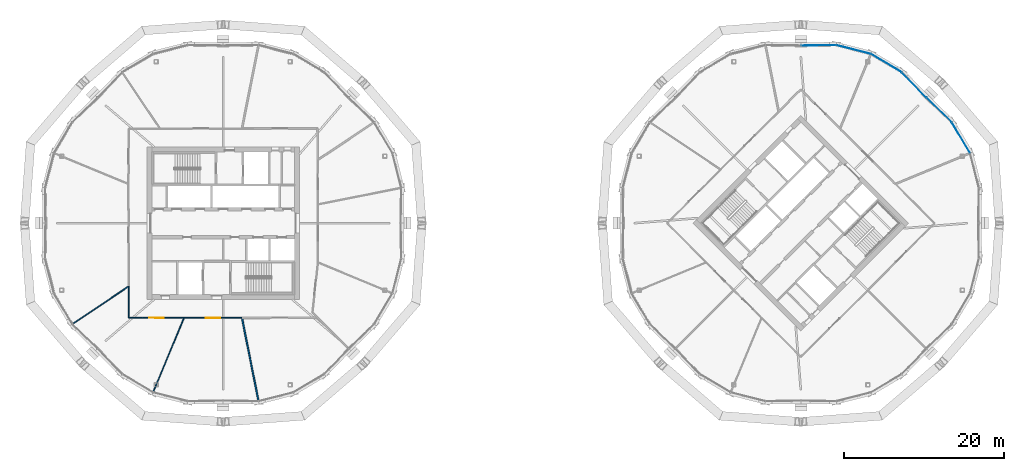
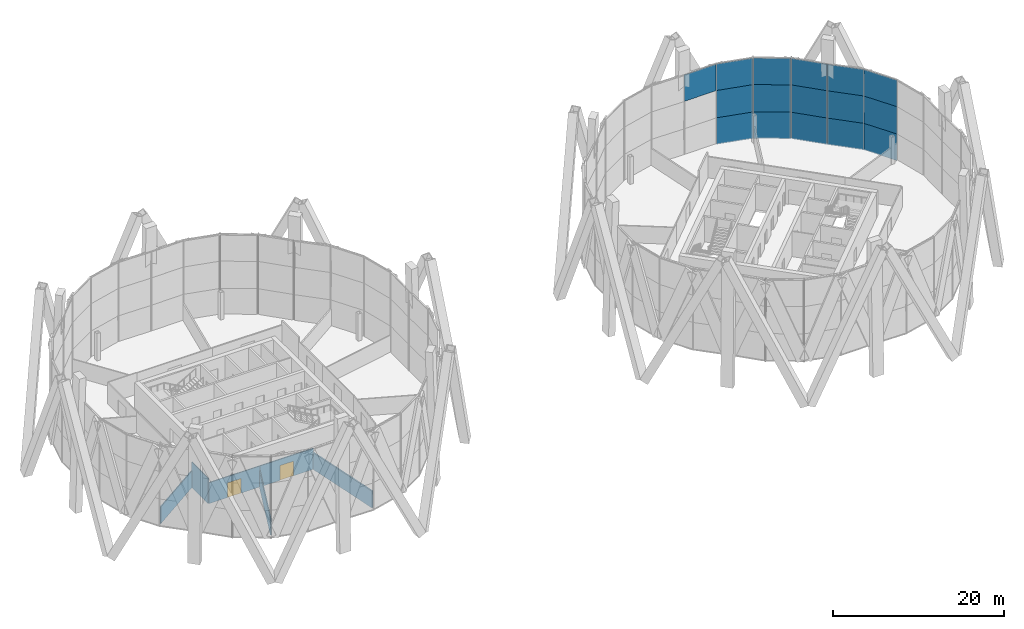
# One storey, part 15 of 23: 16 plates, 6 walls, 2 doors, 2 openings, 2 elements without a shape of their own.
"""IFC4 building model written with IfcOpenShell, lengths in metres."""

from ifc_helpers import new_model, si_unit, direction, frame, frame_2d, origin, origin_2d, place, context, subcontext, project, spatial, rectangle, extrude, material, layer, layer_set, type_object, element, fill, aggregate, save


model = new_model("IFC4")

# Units and contexts
model_context = context("Model", 3, precision=1e-05, world=origin(), true_north=direction((0.0, 1.0)))
body_context = subcontext(model_context, "Body", "Model", "MODEL_VIEW")
ifc_project = project(units=[si_unit("LENGTHUNIT", "METRE"), si_unit("AREAUNIT", "SQUARE_METRE"), si_unit("VOLUMEUNIT", "CUBIC_METRE"), si_unit("PLANEANGLEUNIT", "RADIAN"), si_unit("MASSUNIT", "GRAM", prefix="KILO")], contexts=[model_context])

# Site, building, storey
site_placement = place(None, origin())
site = spatial("IfcSite", under=ifc_project, at=site_placement, CompositionType="ELEMENT")
building_placement = place(site_placement, origin())
building = spatial("IfcBuilding", under=site, at=building_placement, Name="Ogive Gate Towers", CompositionType="ELEMENT")
storey_placement = place(building_placement, frame((0.0, 0.0, 165.60009765625)))
storey = spatial("IfcBuildingStorey", under=building, at=storey_placement, Name="L39", CompositionType="ELEMENT", Elevation=165.60009765625)

# Curtain wall, plates
ifc_material_1 = material(Name="Pale metal aluminium", Category="aluminium")
curtain_wall_type = type_object("IfcCurtainWallType", Name="Tower unitised wall, high zone", PredefinedType="NOTDEFINED", material=ifc_material_1)
curtain_wall_1_placement = place(storey_placement, origin())
curtain_wall_1 = element("IfcCurtainWall", 1, at=curtain_wall_1_placement, inside=storey, type_object=curtain_wall_type, Name="CW2 T2 ECW01", PredefinedType="NOTDEFINED")
ifc_material_2 = material(Name="Clear glass", Category="glass")
ifc_layer_1 = layer(ifc_material_2, 0.028076171875)
ifc_layer_set_1 = layer_set([ifc_layer_1], Name="Tower unitised wall, high zone glass panel")
plate_type = type_object("IfcPlateType", Name="Tower unitised wall, high zone glass panel", PredefinedType="CURTAIN_PANEL", material=ifc_layer_set_1)
plate_1_placement = place(storey_placement, frame((55.95263671875, 10.658447265625, -0.2041015625), z_axis=(0.0, 0.0, 1.0), x_axis=(-0.510452871593, 0.859905730811, 0.0)))
plate_1 = element("IfcPlate", 2, at=plate_1_placement, type_object=plate_type, Name="CW2 glass panel", PredefinedType="CURTAIN_PANEL", context=body_context, shape_type="SweptSolid", body=[
    extrude(rectangle(XDim=4.406494140625, YDim=0.028076171875, at=origin_2d()), origin(), (0.0, 0.0, 1.0), 3.803955078125),
])
plate_2_placement = place(storey_placement, frame((55.95263671875, 10.658447265625, 3.599853515625), z_axis=(0.0, 0.0, 1.0), x_axis=(-0.510452871593, 0.859905730811, 0.0)))
plate_2 = element("IfcPlate", 3, at=plate_2_placement, type_object=plate_type, Name="CW2 glass panel", PredefinedType="CURTAIN_PANEL", context=body_context, shape_type="SweptSolid", body=[
    extrude(rectangle(XDim=4.406494140625, YDim=0.028076171875, at=origin_2d()), origin(), (0.0, 0.0, 1.0), 3.89990234375),
])
plate_3_placement = place(storey_placement, frame((55.95263671875, 10.658447265625, 7.5), z_axis=(0.0, 0.0, 1.0), x_axis=(-0.510452871593, 0.859905730811, 0.0)))
plate_3 = element("IfcPlate", 4, at=plate_3_placement, type_object=plate_type, Name="CW2 glass panel", PredefinedType="CURTAIN_PANEL", context=body_context, shape_type="SweptSolid", body=[
    extrude(rectangle(XDim=4.406494140625, YDim=0.028076171875, at=origin_2d()), origin(), (0.0, 0.0, 1.0), 3.803955078125),
])
plate_4_placement = place(storey_placement, frame((53.22900390625, 14.115234375, -0.2041015625), z_axis=(0.0, 0.0, 1.0), x_axis=(-0.717810428625, 0.696238600306, 0.0)))
plate_4 = element("IfcPlate", 5, at=plate_4_placement, type_object=plate_type, Name="CW2 glass panel", PredefinedType="CURTAIN_PANEL", context=body_context, shape_type="SweptSolid", body=[
    extrude(rectangle(XDim=4.349853515625, YDim=0.028076171875, at=origin_2d()), origin(), (0.0, 0.0, 1.0), 3.803955078125),
])
plate_5_placement = place(storey_placement, frame((53.22900390625, 14.115234375, 3.599853515625), z_axis=(0.0, 0.0, 1.0), x_axis=(-0.717810428625, 0.696238600306, 0.0)))
plate_5 = element("IfcPlate", 6, at=plate_5_placement, type_object=plate_type, Name="CW2 glass panel", PredefinedType="CURTAIN_PANEL", context=body_context, shape_type="SweptSolid", body=[
    extrude(rectangle(XDim=4.349853515625, YDim=0.028076171875, at=origin_2d()), origin(), (0.0, 0.0, 1.0), 3.89990234375),
])
plate_6_placement = place(storey_placement, frame((53.22900390625, 14.115234375, 7.5), z_axis=(0.0, 0.0, 1.0), x_axis=(-0.717810428625, 0.696238600306, 0.0)))
plate_6 = element("IfcPlate", 7, at=plate_6_placement, type_object=plate_type, Name="CW2 glass panel", PredefinedType="CURTAIN_PANEL", context=body_context, shape_type="SweptSolid", body=[
    extrude(rectangle(XDim=4.349853515625, YDim=0.028076171875, at=origin_2d()), origin(), (0.0, 0.0, 1.0), 3.803955078125),
])
aggregate(curtain_wall_1, [plate_1, plate_2, plate_3, plate_4, plate_5, plate_6])

curtain_wall_2_placement = place(storey_placement, origin())
curtain_wall_2 = element("IfcCurtainWall", 8, at=curtain_wall_2_placement, inside=storey, type_object=curtain_wall_type, Name="CW2 T2 ECW02", PredefinedType="NOTDEFINED")
plate_7_placement = place(storey_placement, frame((50.115234375, 17.22900390625, -0.2041015625), z_axis=(0.0, 0.0, 1.0), x_axis=(-0.696238600306, 0.717810428625, 0.0)))
plate_7 = element("IfcPlate", 9, at=plate_7_placement, type_object=plate_type, Name="CW2 glass panel", PredefinedType="CURTAIN_PANEL", context=body_context, shape_type="SweptSolid", body=[
    extrude(rectangle(XDim=4.349853515625, YDim=0.028076171875, at=origin_2d()), origin(), (0.0, 0.0, 1.0), 3.803955078125),
])
plate_8_placement = place(storey_placement, frame((50.115234375, 17.22900390625, 3.599853515625), z_axis=(0.0, 0.0, 1.0), x_axis=(-0.696238600306, 0.717810428625, 0.0)))
plate_8 = element("IfcPlate", 10, at=plate_8_placement, type_object=plate_type, Name="CW2 glass panel", PredefinedType="CURTAIN_PANEL", context=body_context, shape_type="SweptSolid", body=[
    extrude(rectangle(XDim=4.349853515625, YDim=0.028076171875, at=origin_2d()), origin(), (0.0, 0.0, 1.0), 3.89990234375),
])
plate_9_placement = place(storey_placement, frame((50.115234375, 17.22900390625, 7.5), z_axis=(0.0, 0.0, 1.0), x_axis=(-0.696238600306, 0.717810428625, 0.0)))
plate_9 = element("IfcPlate", 11, at=plate_9_placement, type_object=plate_type, Name="CW2 glass panel", PredefinedType="CURTAIN_PANEL", context=body_context, shape_type="SweptSolid", body=[
    extrude(rectangle(XDim=4.349853515625, YDim=0.028076171875, at=origin_2d()), origin(), (0.0, 0.0, 1.0), 3.803955078125),
])
plate_10_placement = place(storey_placement, frame((46.658447265625, 19.95263671875, -0.2041015625), z_axis=(0.0, 0.0, 1.0), x_axis=(-0.859905730811, 0.510452871593, 0.0)))
plate_10 = element("IfcPlate", 12, at=plate_10_placement, type_object=plate_type, Name="CW2 glass panel", PredefinedType="CURTAIN_PANEL", context=body_context, shape_type="SweptSolid", body=[
    extrude(rectangle(XDim=4.406494140625, YDim=0.028076171875, at=origin_2d()), origin(), (0.0, 0.0, 1.0), 3.803955078125),
])
plate_11_placement = place(storey_placement, frame((46.658447265625, 19.95263671875, 3.599853515625), z_axis=(0.0, 0.0, 1.0), x_axis=(-0.859905730811, 0.510452871593, 0.0)))
plate_11 = element("IfcPlate", 13, at=plate_11_placement, type_object=plate_type, Name="CW2 glass panel", PredefinedType="CURTAIN_PANEL", context=body_context, shape_type="SweptSolid", body=[
    extrude(rectangle(XDim=4.406494140625, YDim=0.028076171875, at=origin_2d()), origin(), (0.0, 0.0, 1.0), 3.89990234375),
])
plate_12_placement = place(storey_placement, frame((46.658447265625, 19.95263671875, 7.5), z_axis=(0.0, 0.0, 1.0), x_axis=(-0.859905730811, 0.510452871593, 0.0)))
plate_12 = element("IfcPlate", 14, at=plate_12_placement, type_object=plate_type, Name="CW2 glass panel", PredefinedType="CURTAIN_PANEL", context=body_context, shape_type="SweptSolid", body=[
    extrude(rectangle(XDim=4.406494140625, YDim=0.028076171875, at=origin_2d()), origin(), (0.0, 0.0, 1.0), 3.803955078125),
])
plate_13_placement = place(storey_placement, frame((42.572021484375, 21.645263671875, -0.2041015625), z_axis=(0.0, 0.0, 1.0), x_axis=(-0.968989860418, 0.247100486458, 0.0)))
plate_13 = element("IfcPlate", 15, at=plate_13_placement, type_object=plate_type, Name="CW2 glass panel", PredefinedType="CURTAIN_PANEL", context=body_context, shape_type="SweptSolid", body=[
    extrude(rectangle(XDim=4.406494140625, YDim=0.028076171875, at=origin_2d()), origin(), (0.0, 0.0, 1.0), 3.803955078125),
])
plate_14_placement = place(storey_placement, frame((42.572021484375, 21.645263671875, 3.599853515625), z_axis=(0.0, 0.0, 1.0), x_axis=(-0.968989860418, 0.247100486458, 0.0)))
plate_14 = element("IfcPlate", 16, at=plate_14_placement, type_object=plate_type, Name="CW2 glass panel", PredefinedType="CURTAIN_PANEL", context=body_context, shape_type="SweptSolid", body=[
    extrude(rectangle(XDim=4.406494140625, YDim=0.028076171875, at=origin_2d()), origin(), (0.0, 0.0, 1.0), 3.89990234375),
])
plate_15_placement = place(storey_placement, frame((42.572021484375, 21.645263671875, 7.5), z_axis=(0.0, 0.0, 1.0), x_axis=(-0.968989860418, 0.247100486458, 0.0)))
plate_15 = element("IfcPlate", 17, at=plate_15_placement, type_object=plate_type, Name="CW2 glass panel", PredefinedType="CURTAIN_PANEL", context=body_context, shape_type="SweptSolid", body=[
    extrude(rectangle(XDim=4.406494140625, YDim=0.028076171875, at=origin_2d()), origin(), (0.0, 0.0, 1.0), 3.803955078125),
])
plate_16_placement = place(storey_placement, frame((38.20166015625, 22.16357421875, 7.5), z_axis=(0.0, 0.0, 1.0), x_axis=(-0.99988339091, -0.015271037347, 0.0)))
plate_16 = element("IfcPlate", 18, at=plate_16_placement, type_object=plate_type, Name="CW2 glass panel", PredefinedType="CURTAIN_PANEL", context=body_context, shape_type="SweptSolid", body=[
    extrude(rectangle(XDim=4.349853515625, YDim=0.028076171875, at=origin_2d()), origin(), (0.0, 0.0, 1.0), 3.803955078125),
])
aggregate(curtain_wall_2, [plate_7, plate_8, plate_9, plate_10, plate_11, plate_12, plate_13, plate_14, plate_15, plate_16])

# Walls
ifc_material_3 = material(Name="Gypsum board acoustic partition")
ifc_layer_2 = layer(ifc_material_3, 0.175048828125)
ifc_layer_set_2 = layer_set([ifc_layer_2], Name="Acoustic partition 175")
wall_type_1 = type_object("IfcWallType", Name="Acoustic partition 175", PredefinedType="PARTITIONING", material=ifc_layer_set_2)
wall_1_placement = place(storey_placement, frame((-31.612548828125, -22.09814453125, 0.0), z_axis=(0.0, 0.0, 1.0), x_axis=(-0.194745070946, 0.980853891944, 0.0)))
element("IfcWall", 19, at=wall_1_placement, inside=storey, type_object=wall_type_1, Name="Partition T1-L39-008", PredefinedType="PARTITIONING", context=body_context, shape_type="SweptSolid", body=[
    extrude(rectangle(XDim=10.411376953125, YDim=0.175048828125, at=frame_2d((5.20556640625, 0.0))), origin(), (0.0, 0.0, 1.0), 2.39990234375),
])
ifc_material_4 = material(Name="Gypsum board partition")
ifc_layer_3 = layer(ifc_material_4, 0.125)
ifc_layer_set_3 = layer_set([ifc_layer_3], Name="Partition 125")
wall_type_2 = type_object("IfcWallType", Name="Partition 125", PredefinedType="PARTITIONING", material=ifc_layer_set_3)
wall_2_placement = place(storey_placement, frame((-54.728271484375, -12.5234375, 0.0), z_axis=(0.0, 0.0, 1.0), x_axis=(0.831274401047, 0.555862276256, 0.0)))
element("IfcWall", 20, at=wall_2_placement, inside=storey, type_object=wall_type_2, Name="Partition T1-L39-006", PredefinedType="PARTITIONING", context=body_context, shape_type="SweptSolid", body=[
    extrude(rectangle(XDim=8.28662109375, YDim=0.125, at=frame_2d((4.143310546875, 0.0))), origin(), (0.0, 0.0, 1.0), 2.39990234375),
])
wall_3_placement = place(storey_placement, frame((-44.698486328125, -20.999755859375, 0.0), z_axis=(0.0, 0.0, 1.0), x_axis=(0.382692753216, 0.923875671633, 0.0)))
element("IfcWall", 21, at=wall_3_placement, inside=storey, type_object=wall_type_2, Name="Partition T1-L39-007", PredefinedType="PARTITIONING", context=body_context, shape_type="SweptSolid", body=[
    extrude(rectangle(XDim=9.886474609375, YDim=0.125, at=frame_2d((4.943359375, 0.0))), origin(), (0.0, 0.0, 1.0), 2.39990234375),
])

# Wall, opening, door
wall_4_placement = place(storey_placement, frame((-47.780029296875, -11.780029296875, 0.0), z_axis=(0.0, 0.0, 1.0), x_axis=(0.99999169502, -0.004075523441, 0.0)))
wall_4 = element("IfcWall", 22, at=wall_4_placement, inside=storey, type_object=wall_type_2, Name="Partition T1-L39-015", PredefinedType="PARTITIONING", context=body_context, shape_type="SweptSolid", body=[
    extrude(rectangle(XDim=6.888916015625, YDim=0.125, at=frame_2d((3.4443359375, 0.0))), origin(), (0.0, 0.0, 1.0), 3.0),
])
opening_1_placement = place(wall_4_placement, frame((2.5439453125, 0.0, 0.0)))
opening_1 = element("IfcOpeningElement", 23, at=opening_1_placement, cuts=wall_4, Name="Opening T1-L39-D04", PredefinedType="OPENING", context=body_context, shape_type="SweptSolid", body=[
    extrude(rectangle(XDim=1.800048828125, YDim=2.10009765625, at=frame_2d((0.89990234375, 1.050048828125))), frame((0.0, 0.072509765625, 0.0), z_axis=(0.0, -1.0, 0.0), x_axis=(1.0, 0.0, 0.0)), (0.0, 0.0, 1.0), 0.14501953125),
])
ifc_material_5 = material(Name="Timber door", Category="wood")
door_type = type_object("IfcDoorType", Name="Door pair 1800", OperationType="NOTDEFINED", PredefinedType="DOOR", material=ifc_material_5)
door_1_placement = place(opening_1_placement, origin())
door_1 = element("IfcDoor", 24, at=door_1_placement, inside=storey, type_object=door_type, Name="Door T1-L39-D04", OperationType="DOUBLE_DOOR_DOUBLE_SWING", OverallHeight=2.10009765625, OverallWidth=1.800048828125, PredefinedType="DOOR", context=body_context, shape_type="SweptSolid", body=[
    extrude(rectangle(XDim=1.800048828125, YDim=2.10009765625, at=frame_2d((0.89990234375, 1.050048828125))), frame((0.0, 0.02490234375, 0.0), z_axis=(0.0, -1.0, 0.0), x_axis=(1.0, 0.0, 0.0)), (0.0, 0.0, 1.0), 0.050048828125),
])
fill(opening_1, door_1)

# Wall
wall_5_placement = place(storey_placement, frame((-47.787841796875, -7.882568359375, 0.0), z_axis=(0.0, 0.0, 1.0), x_axis=(0.002004506121, -0.999997990976, 0.0)))
element("IfcWall", 25, at=wall_5_placement, inside=storey, type_object=wall_type_2, Name="Partition T1-L39-016", PredefinedType="PARTITIONING", context=body_context, shape_type="SweptSolid", body=[
    extrude(rectangle(XDim=3.8974609375, YDim=0.125, at=frame_2d((1.94873046875, 0.0))), origin(), (0.0, 0.0, 1.0), 3.599853515625),
])

# Wall, opening, door
wall_6_placement = place(storey_placement, frame((-40.89111328125, -11.80810546875, 0.0), z_axis=(0.0, 0.0, 1.0), x_axis=(0.999999416854, 0.001079949423, 0.0)))
wall_6 = element("IfcWall", 26, at=wall_6_placement, inside=storey, type_object=wall_type_2, Name="Partition T1-L39-017", PredefinedType="PARTITIONING", context=body_context, shape_type="SweptSolid", body=[
    extrude(rectangle(XDim=7.234130859375, YDim=0.125, at=frame_2d((3.6171875, 0.0))), origin(), (0.0, 0.0, 1.0), 3.0),
])
opening_2_placement = place(wall_6_placement, frame((2.717041015625, 0.0, 0.0)))
opening_2 = element("IfcOpeningElement", 27, at=opening_2_placement, cuts=wall_6, Name="Opening T1-L39-D05", PredefinedType="OPENING", context=body_context, shape_type="SweptSolid", body=[
    extrude(rectangle(XDim=1.800048828125, YDim=2.10009765625, at=frame_2d((0.89990234375, 1.050048828125))), frame((0.0, 0.072509765625, 0.0), z_axis=(0.0, -1.0, 0.0), x_axis=(1.0, 0.0, 0.0)), (0.0, 0.0, 1.0), 0.14501953125),
])
door_2_placement = place(opening_2_placement, origin())
door_2 = element("IfcDoor", 28, at=door_2_placement, inside=storey, type_object=door_type, Name="Door T1-L39-D05", OperationType="DOUBLE_DOOR_DOUBLE_SWING", OverallHeight=2.10009765625, OverallWidth=1.800048828125, PredefinedType="DOOR", context=body_context, shape_type="SweptSolid", body=[
    extrude(rectangle(XDim=1.800048828125, YDim=2.10009765625, at=frame_2d((0.89990234375, 1.050048828125))), frame((0.0, 0.02490234375, 0.0), z_axis=(0.0, -1.0, 0.0), x_axis=(1.0, 0.0, 0.0)), (0.0, 0.0, 1.0), 0.050048828125),
])
fill(opening_2, door_2)

save(model, "model.ifc")
